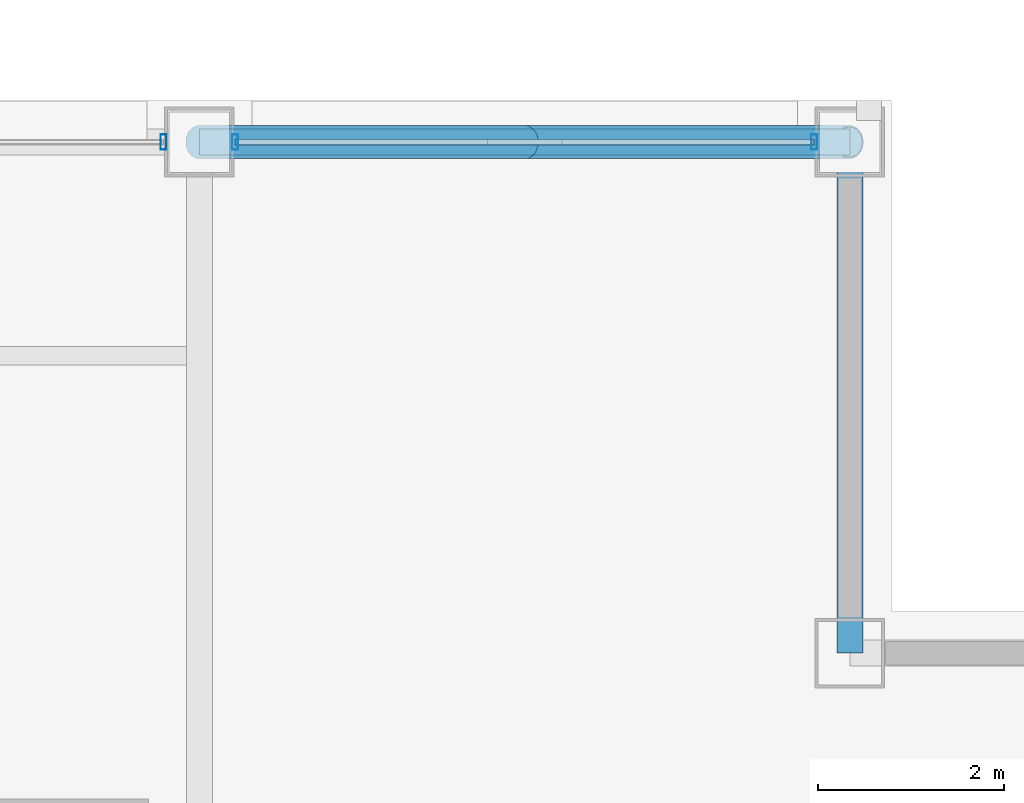
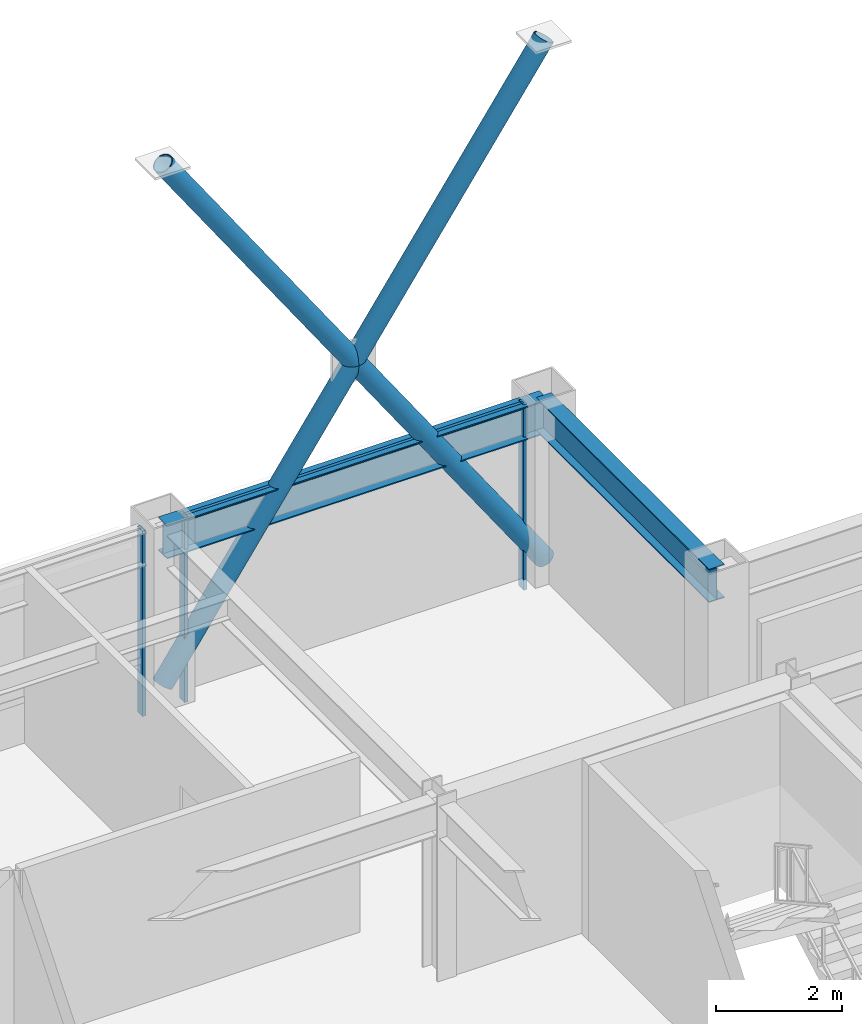
# One storey, part 22 of 30: 7 members, 2 beams, 2 elements without a shape of their own.
"""IFC4 building model written with IfcOpenShell, lengths in metres."""

from ifc_helpers import new_model, si_unit, direction, frame, origin, origin_2d, place, context, subcontext, project, spatial, hollow_rectangle, hollow_circle, i_section, extrude, material, layer, layer_set, material_profile, profile_set, type_object, element, aggregate, save


model = new_model("IFC4")

# Units and contexts
model_context = context("Model", 3, precision=1e-05, world=origin(), true_north=direction((0.0, 1.0)))
body_context = subcontext(model_context, "Body", "Model", "MODEL_VIEW")
ifc_project = project(units=[si_unit("LENGTHUNIT", "METRE"), si_unit("AREAUNIT", "SQUARE_METRE"), si_unit("VOLUMEUNIT", "CUBIC_METRE"), si_unit("PLANEANGLEUNIT", "RADIAN"), si_unit("MASSUNIT", "GRAM", prefix="KILO")], contexts=[model_context])

# Site, building, storey
site_placement = place(None, origin())
site = spatial("IfcSite", under=ifc_project, at=site_placement, CompositionType="ELEMENT")
building_placement = place(site_placement, origin())
building = spatial("IfcBuilding", under=site, at=building_placement, Name="Brelmoor Portico Tower", CompositionType="ELEMENT")
storey_placement = place(building_placement, frame((0.0, 0.0, 173.10009765625)))
storey = spatial("IfcBuildingStorey", under=building, at=storey_placement, Name="L45", CompositionType="ELEMENT", Elevation=173.10009765625)

# Beams
ifc_material_1 = material(Name="Steel Q355B", Category="steel")
ifc_material_profile_1 = material_profile(ifc_material_1, i_section(OverallWidth=0.280029296875, OverallDepth=0.64990234375, WebThickness=0.012939453125, FlangeThickness=0.02197265625, at=origin_2d()), Name="HN 650x280x13x22")
ifc_profile_set_1 = profile_set([ifc_material_profile_1], Name="Steel Q355B")
beam_type = type_object("IfcBeamType", Name="BM-SP-650", PredefinedType="SPANDREL", material=ifc_profile_set_1)
beam_1_placement = place(storey_placement, frame((8.050048828125, 18.550048828125, 3.074951171875), z_axis=(1.0, 0.0, 0.0), x_axis=(0.0, 1.0, 0.0)))
element("IfcBeam", 1, at=beam_1_placement, inside=storey, type_object=beam_type, Name="L45 Perimeter Spandrel Beam SP-10", PredefinedType="SPANDREL", context=body_context, shape_type="SweptSolid", body=[
    extrude(i_section(OverallWidth=0.280029296875, OverallDepth=0.64990234375, WebThickness=0.012939453125, FlangeThickness=0.02197265625, at=origin_2d()), origin(), (0.0, 0.0, 1.0), 7.0),
])
beam_2_placement = place(storey_placement, frame((15.050048828125, 13.050048828125, 3.074951171875), z_axis=(0.0, 1.0, 0.0), x_axis=(-1.0, 0.0, 0.0)))
element("IfcBeam", 2, at=beam_2_placement, inside=storey, type_object=beam_type, Name="L45 Perimeter Spandrel Beam SP-17", PredefinedType="SPANDREL", context=body_context, shape_type="SweptSolid", body=[
    extrude(i_section(OverallWidth=0.280029296875, OverallDepth=0.64990234375, WebThickness=0.012939453125, FlangeThickness=0.02197265625, at=origin_2d()), origin(), (0.0, 0.0, 1.0), 5.5),
])

# Members
ifc_material_profile_2 = material_profile(ifc_material_1, hollow_circle(Radius=0.177978515625, WallThickness=0.01611328125, at=origin_2d()), Name="CHS 356x16")
ifc_profile_set_2 = profile_set([ifc_material_profile_2], Name="Steel Q355B")
member_type_1 = type_object("IfcMemberType", Name="MB-BELT-DIAG2", PredefinedType="BRACE", material=ifc_profile_set_2)
member_1_placement = place(storey_placement, frame((8.050048828125, 18.550048828125, 0.25), z_axis=(0.569638640345, 0.0, 0.821895260618), x_axis=(0.0, 1.0, 0.0)))
element("IfcMember", 3, at=member_1_placement, inside=storey, type_object=member_type_1, Name="L45 Continuous Mega-X Brace 100A", PredefinedType="BRACE", context=body_context, shape_type="SweptSolid", body=[
    extrude(hollow_circle(Radius=0.177978515625, WallThickness=0.01611328125, at=origin_2d()), origin(), (0.0, 0.0, 1.0), 12.28857421875),
])
member_2_placement = place(storey_placement, frame((15.050048828125, 18.550048828125, 0.25), z_axis=(-0.569647942054, 0.0, 0.821888813717), x_axis=(0.0, -1.0, 0.0)))
element("IfcMember", 4, at=member_2_placement, inside=storey, type_object=member_type_1, Name="L45 Split Mega-X Brace 100B1", PredefinedType="BRACE", context=body_context, shape_type="SweptSolid", body=[
    extrude(hollow_circle(Radius=0.177978515625, WallThickness=0.01611328125, at=origin_2d()), origin(), (0.0, 0.0, 1.0), 6.14404296875),
])
member_3_placement = place(storey_placement, frame((11.550048828125, 18.550048828125, 5.2998046875), z_axis=(-0.569629338867, 0.0, 0.821901707203), x_axis=(0.0, -1.0, 0.0)))
element("IfcMember", 5, at=member_3_placement, inside=storey, type_object=member_type_1, Name="L45 Split Mega-X Brace 100B2", PredefinedType="BRACE", context=body_context, shape_type="SweptSolid", body=[
    extrude(hollow_circle(Radius=0.177978515625, WallThickness=0.01611328125, at=origin_2d()), origin(), (0.0, 0.0, 1.0), 6.144287109375),
])

# Curtain wall, member
ifc_material_2 = material(Name="Anodised Aluminium Alloy 6063-T6", Category="aluminium")
ifc_layer_1 = layer(ifc_material_2, 0.179931640625)
ifc_layer_set_1 = layer_set([ifc_layer_1], Name="Anodised Aluminium Alloy 6063-T6")
curtain_wall_type_1 = type_object("IfcCurtainWallType", Name="CW-TOWER-Z3", PredefinedType="NOTDEFINED", material=ifc_layer_set_1)
curtain_wall_1_placement = place(storey_placement, origin())
curtain_wall_1 = element("IfcCurtainWall", 6, at=curtain_wall_1_placement, inside=storey, type_object=curtain_wall_type_1, Name="L45 Curtain Wall CW-L45-2R-1", PredefinedType="NOTDEFINED")
ifc_material_profile_3 = material_profile(ifc_material_2, hollow_rectangle(XDim=0.06494140625, YDim=0.1650390625, WallThickness=0.00390625, at=origin_2d()), Name="ALU MULLION 65x165")
ifc_profile_set_3 = profile_set([ifc_material_profile_3], Name="Anodised Aluminium Alloy 6063-T6")
member_type_2 = type_object("IfcMemberType", Name="MB-CW-MULL-165", PredefinedType="MULLION", material=ifc_profile_set_3)
member_4_placement = place(storey_placement, frame((7.6650390625, 18.550048828125, -0.2001953125), z_axis=(0.0, 0.0, 1.0), x_axis=(1.0, 0.0, 0.0)))
member_4 = element("IfcMember", 7, at=member_4_placement, type_object=member_type_2, Name="CW-L45-2R-1 Mullion 01", PredefinedType="MULLION", context=body_context, shape_type="SweptSolid", body=[
    extrude(hollow_rectangle(XDim=0.06494140625, YDim=0.1650390625, WallThickness=0.00390625, at=origin_2d()), origin(), (0.0, 0.0, 1.0), 3.60009765625),
])
aggregate(curtain_wall_1, [member_4])

# Curtain wall, members
ifc_layer_2 = layer(ifc_material_2, 0.179931640625)
ifc_layer_set_2 = layer_set([ifc_layer_2], Name="Anodised Aluminium Alloy 6063-T6")
curtain_wall_type_2 = type_object("IfcCurtainWallType", Name="CW-TOWER-Z3-XB", PredefinedType="NOTDEFINED", material=ifc_layer_set_2)
curtain_wall_2_placement = place(storey_placement, origin())
curtain_wall_2 = element("IfcCurtainWall", 8, at=curtain_wall_2_placement, inside=storey, type_object=curtain_wall_type_2, Name="L45 Curtain Wall CW-L45-2R-2", PredefinedType="NOTDEFINED")
member_5_placement = place(storey_placement, frame((8.43505859375, 18.550048828125, -0.2001953125), z_axis=(0.0, 0.0, 1.0), x_axis=(1.0, 0.0, 0.0)))
member_5 = element("IfcMember", 9, at=member_5_placement, type_object=member_type_2, Name="CW-L45-2R-2 Mullion 00", PredefinedType="MULLION", context=body_context, shape_type="SweptSolid", body=[
    extrude(hollow_rectangle(XDim=0.06494140625, YDim=0.1650390625, WallThickness=0.00390625, at=origin_2d()), origin(), (0.0, 0.0, 1.0), 3.60009765625),
])
member_6_placement = place(storey_placement, frame((14.6650390625, 18.550048828125, -0.2001953125), z_axis=(0.0, 0.0, 1.0), x_axis=(1.0, 0.0, 0.0)))
member_6 = element("IfcMember", 10, at=member_6_placement, type_object=member_type_2, Name="CW-L45-2R-2 Mullion 01", PredefinedType="MULLION", context=body_context, shape_type="SweptSolid", body=[
    extrude(hollow_rectangle(XDim=0.06494140625, YDim=0.1650390625, WallThickness=0.00390625, at=origin_2d()), origin(), (0.0, 0.0, 1.0), 3.60009765625),
])
ifc_material_profile_4 = material_profile(ifc_material_2, hollow_rectangle(XDim=0.06005859375, YDim=0.125, WallThickness=0.00341796875, at=origin_2d()), Name="ALU TRANSOM 60x125")
ifc_profile_set_4 = profile_set([ifc_material_profile_4], Name="Anodised Aluminium Alloy 6063-T6")
member_type_3 = type_object("IfcMemberType", Name="MB-CW-TRAN-125", PredefinedType="USERDEFINED", material=ifc_profile_set_4)
member_7_placement = place(storey_placement, frame((8.43505859375, 18.550048828125, 3.33740234375), z_axis=(1.0, 0.0, 0.0), x_axis=(0.0, 1.0, 0.0)))
member_7 = element("IfcMember", 11, at=member_7_placement, type_object=member_type_3, Name="CW-L45-2R-2 Transom 1-00", ObjectType="TRANSOM", PredefinedType="USERDEFINED", context=body_context, shape_type="SweptSolid", body=[
    extrude(hollow_rectangle(XDim=0.06005859375, YDim=0.125, WallThickness=0.00341796875, at=origin_2d()), origin(), (0.0, 0.0, 1.0), 6.22998046875),
])
aggregate(curtain_wall_2, [member_5, member_6, member_7])

save(model, "model.ifc")
